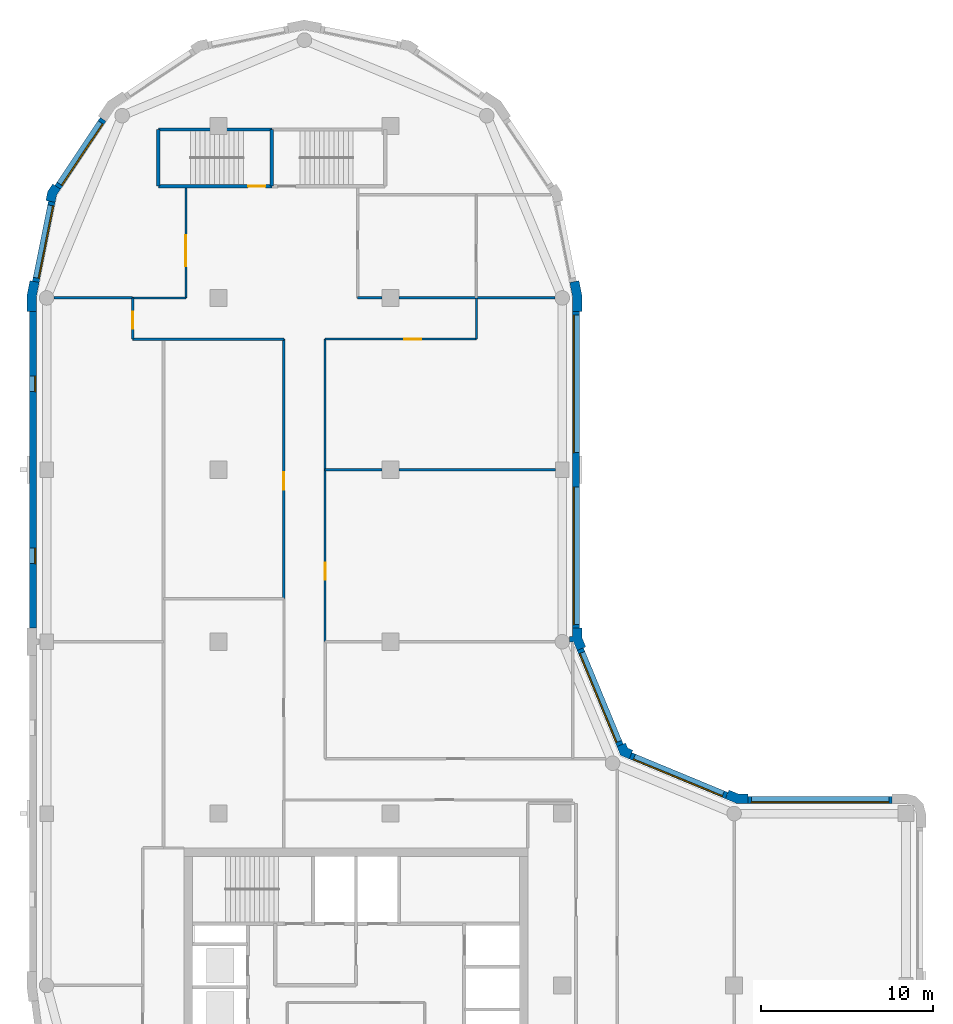
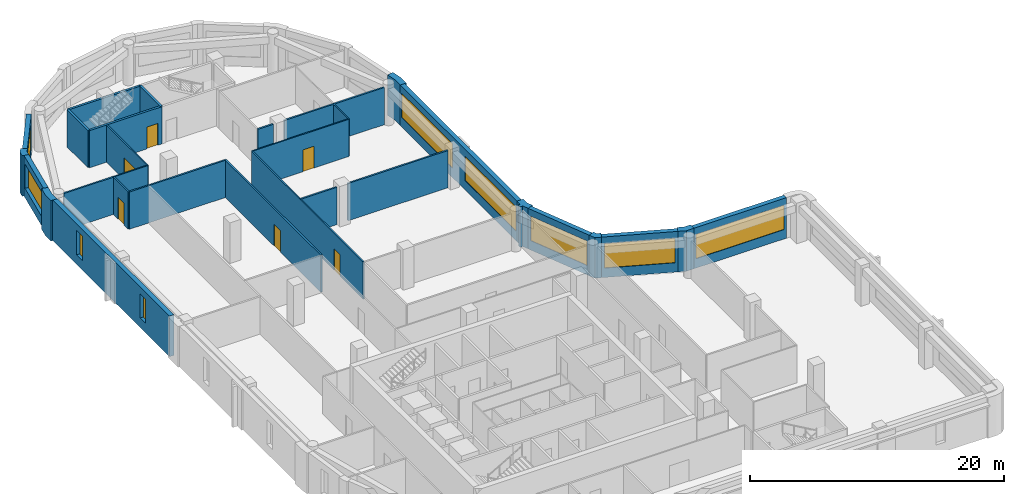
# One storey, part 5 of 9: 30 walls, 9 windows, 6 doors, 15 openings.
"""IFC4 building model written with IfcOpenShell, lengths in metres."""

from ifc_helpers import new_model, si_unit, direction, frame, frame_2d, origin, place, context, subcontext, project, spatial, polyline, rectangle, outline, extrude, material, layer, layer_set, type_object, element, fill, save


model = new_model("IFC4")

# Units and contexts
model_context = context("Model", 3, precision=1e-05, world=origin(), true_north=direction((0.0, 1.0)))
body_context = subcontext(model_context, "Body", "Model", "MODEL_VIEW")
ifc_project = project(units=[si_unit("LENGTHUNIT", "METRE"), si_unit("AREAUNIT", "SQUARE_METRE"), si_unit("VOLUMEUNIT", "CUBIC_METRE"), si_unit("PLANEANGLEUNIT", "RADIAN"), si_unit("MASSUNIT", "GRAM", prefix="KILO")], contexts=[model_context])

# Site, building, storey
site_placement = place(None, origin())
site = spatial("IfcSite", under=ifc_project, at=site_placement, CompositionType="ELEMENT")
building_placement = place(site_placement, origin())
building = spatial("IfcBuilding", under=site, at=building_placement, Name="Qaws Garden Tower", CompositionType="ELEMENT")
storey_placement = place(building_placement, frame((0.0, 0.0, 270.89990234375)))
storey = spatial("IfcBuildingStorey", under=building, at=storey_placement, Name="L65", CompositionType="ELEMENT", Elevation=270.89990234375)

# Wall, opening, window
ifc_material_1 = material(Name="Clay facing brick masonry", Category="masonry")
ifc_layer_1 = layer(ifc_material_1, 0.39990234375)
ifc_layer_set_1 = layer_set([ifc_layer_1], Name="Clay facing brick masonry")
wall_type_1 = type_object("IfcWallType", Name="Brick infill wall 400", PredefinedType="SOLIDWALL", material=ifc_layer_set_1)
wall_1_placement = place(storey_placement, frame((49.199951171875, 30.800048828125, 0.0), z_axis=(0.0, 0.0, 1.0), x_axis=(-1.0, 0.0, 0.0)))
wall_1 = element("IfcWall", 1, at=wall_1_placement, inside=storey, type_object=wall_type_1, Name="E-L65-infill-06", PredefinedType="SOLIDWALL", context=body_context, shape_type="SweptSolid", body=[
    extrude(rectangle(XDim=8.39990234375, YDim=0.39990234375, at=frame_2d((4.199951171875, 0.0))), origin(), (0.0, 0.0, 1.0), 3.900146484375),
])
opening_1_placement = place(wall_1_placement, frame((0.199951171875, 0.0, 0.89990234375)))
opening_1 = element("IfcOpeningElement", 2, at=opening_1_placement, cuts=wall_1, Name="Opening W01", PredefinedType="OPENING", context=body_context, shape_type="SweptSolid", body=[
    extrude(rectangle(XDim=8.0, YDim=2.35009765625, at=frame_2d((4.0, 1.175048828125))), frame((0.0, 0.2099609375, 0.0), z_axis=(0.0, -1.0, 0.0), x_axis=(1.0, 0.0, 0.0)), (0.0, 0.0, 1.0), 0.419921875),
])
ifc_material_2 = material(Name="Aluminium framed window, clear glazing", Category="aluminium")
window_type_1 = type_object("IfcWindowType", Name="Ribbon window 8000 x 2350", PartitioningType="DOUBLE_PANEL_VERTICAL", PredefinedType="WINDOW", material=ifc_material_2)
window_1_placement = place(opening_1_placement, origin())
window_1 = element("IfcWindow", 3, at=window_1_placement, inside=storey, type_object=window_type_1, Name="E-L65-window-06-0", OverallHeight=2.35009765625, OverallWidth=8.0, PartitioningType="SINGLE_PANEL", PredefinedType="WINDOW", context=body_context, shape_type="SweptSolid", body=[
    extrude(rectangle(XDim=8.0, YDim=2.35009765625, at=frame_2d((4.0, 1.175048828125))), frame((0.0, 0.159912109375, 0.0), z_axis=(0.0, -1.0, 0.0), x_axis=(1.0, 0.0, 0.0)), (0.0, 0.0, 1.0), 0.06005859375),
])
fill(opening_1, window_1)

wall_2_placement = place(storey_placement, frame((39.56689453125, 31.04541015625, 0.0), z_axis=(0.0, 0.0, 1.0), x_axis=(-0.923891000409, 0.382655745237, 0.0)))
wall_2 = element("IfcWall", 4, at=wall_2_placement, inside=storey, type_object=wall_type_1, Name="E-L65-infill-07", PredefinedType="SOLIDWALL", context=body_context, shape_type="SweptSolid", body=[
    extrude(rectangle(XDim=6.053466796875, YDim=0.39990234375, at=frame_2d((3.02685546875, 0.0))), origin(), (0.0, 0.0, 1.0), 3.900146484375),
])
opening_2_placement = place(wall_2_placement, frame((0.226806640625, 0.0, 0.89990234375)))
opening_2 = element("IfcOpeningElement", 5, at=opening_2_placement, cuts=wall_2, Name="Opening W04", PredefinedType="OPENING", context=body_context, shape_type="SweptSolid", body=[
    extrude(rectangle(XDim=5.60009765625, YDim=2.35009765625, at=frame_2d((2.800048828125, 1.175048828125))), frame((0.0, 0.2099609375, 0.0), z_axis=(0.0, -1.0, 0.0), x_axis=(1.0, 0.0, 0.0)), (0.0, 0.0, 1.0), 0.419921875),
])
ifc_material_3 = material(Name="Aluminium framed window, clear glazing", Category="aluminium")
window_type_2 = type_object("IfcWindowType", Name="Ribbon window 5600 x 2350", PartitioningType="DOUBLE_PANEL_VERTICAL", PredefinedType="WINDOW", material=ifc_material_3)
window_2_placement = place(opening_2_placement, origin())
window_2 = element("IfcWindow", 6, at=window_2_placement, inside=storey, type_object=window_type_2, Name="E-L65-window-07-0", OverallHeight=2.35009765625, OverallWidth=5.60009765625, PartitioningType="SINGLE_PANEL", PredefinedType="WINDOW", context=body_context, shape_type="SweptSolid", body=[
    extrude(rectangle(XDim=5.60009765625, YDim=2.35009765625, at=frame_2d((2.800048828125, 1.175048828125))), frame((0.0, 0.159912109375, 0.0), z_axis=(0.0, -1.0, 0.0), x_axis=(1.0, 0.0, 0.0)), (0.0, 0.0, 1.0), 0.06005859375),
])
fill(opening_2, window_2)

wall_3_placement = place(storey_placement, frame((33.36181640625, 33.97412109375, 0.0), z_axis=(0.0, 0.0, 1.0), x_axis=(-0.382655745237, 0.923891000409, 0.0)))
wall_3 = element("IfcWall", 7, at=wall_3_placement, inside=storey, type_object=wall_type_1, Name="E-L65-infill-08", PredefinedType="SOLIDWALL", context=body_context, shape_type="SweptSolid", body=[
    extrude(rectangle(XDim=6.053466796875, YDim=0.39990234375, at=frame_2d((3.02685546875, 0.0))), origin(), (0.0, 0.0, 1.0), 3.900146484375),
])
opening_3_placement = place(wall_3_placement, frame((0.226806640625, 0.0, 0.89990234375)))
opening_3 = element("IfcOpeningElement", 8, at=opening_3_placement, cuts=wall_3, Name="Opening W04", PredefinedType="OPENING", context=body_context, shape_type="SweptSolid", body=[
    extrude(rectangle(XDim=5.60009765625, YDim=2.35009765625, at=frame_2d((2.800048828125, 1.175048828125))), frame((0.0, 0.2099609375, 0.0), z_axis=(0.0, -1.0, 0.0), x_axis=(1.0, 0.0, 0.0)), (0.0, 0.0, 1.0), 0.419921875),
])
window_3_placement = place(opening_3_placement, origin())
window_3 = element("IfcWindow", 9, at=window_3_placement, inside=storey, type_object=window_type_2, Name="E-L65-window-08-0", OverallHeight=2.35009765625, OverallWidth=5.60009765625, PartitioningType="SINGLE_PANEL", PredefinedType="WINDOW", context=body_context, shape_type="SweptSolid", body=[
    extrude(rectangle(XDim=5.60009765625, YDim=2.35009765625, at=frame_2d((2.800048828125, 1.175048828125))), frame((0.0, 0.159912109375, 0.0), z_axis=(0.0, -1.0, 0.0), x_axis=(1.0, 0.0, 0.0)), (0.0, 0.0, 1.0), 0.06005859375),
])
fill(opening_3, window_3)

# Wall, openings, windows
wall_4_placement = place(storey_placement, frame((30.800048828125, 40.800048828125, 0.0), z_axis=(0.0, 0.0, 1.0), x_axis=(0.0, 1.0, 0.0)))
wall_4 = element("IfcWall", 10, at=wall_4_placement, inside=storey, type_object=wall_type_1, Name="E-L65-infill-09", PredefinedType="SOLIDWALL", context=body_context, shape_type="SweptSolid", body=[
    extrude(rectangle(XDim=18.39990234375, YDim=0.39990234375, at=frame_2d((9.199951171875, 0.0))), origin(), (0.0, 0.0, 1.0), 3.900146484375),
])
opening_4_placement = place(wall_4_placement, frame((0.199951171875, 0.0, 0.89990234375)))
opening_4 = element("IfcOpeningElement", 11, at=opening_4_placement, cuts=wall_4, Name="Opening W01", PredefinedType="OPENING", context=body_context, shape_type="SweptSolid", body=[
    extrude(rectangle(XDim=8.0, YDim=2.35009765625, at=frame_2d((4.0, 1.175048828125))), frame((0.0, 0.2099609375, 0.0), z_axis=(0.0, -1.0, 0.0), x_axis=(1.0, 0.0, 0.0)), (0.0, 0.0, 1.0), 0.419921875),
])
opening_5_placement = place(wall_4_placement, frame((10.199951171875, 0.0, 0.89990234375)))
opening_5 = element("IfcOpeningElement", 12, at=opening_5_placement, cuts=wall_4, Name="Opening W01", PredefinedType="OPENING", context=body_context, shape_type="SweptSolid", body=[
    extrude(rectangle(XDim=8.0, YDim=2.35009765625, at=frame_2d((4.0, 1.175048828125))), frame((0.0, 0.2099609375, 0.0), z_axis=(0.0, -1.0, 0.0), x_axis=(1.0, 0.0, 0.0)), (0.0, 0.0, 1.0), 0.419921875),
])
window_4_placement = place(opening_4_placement, origin())
window_4 = element("IfcWindow", 13, at=window_4_placement, inside=storey, type_object=window_type_1, Name="E-L65-window-09-0", OverallHeight=2.35009765625, OverallWidth=8.0, PartitioningType="SINGLE_PANEL", PredefinedType="WINDOW", context=body_context, shape_type="SweptSolid", body=[
    extrude(rectangle(XDim=8.0, YDim=2.35009765625, at=frame_2d((4.0, 1.175048828125))), frame((0.0, 0.159912109375, 0.0), z_axis=(0.0, -1.0, 0.0), x_axis=(1.0, 0.0, 0.0)), (0.0, 0.0, 1.0), 0.06005859375),
])
fill(opening_4, window_4)
window_5_placement = place(opening_5_placement, origin())
window_5 = element("IfcWindow", 14, at=window_5_placement, inside=storey, type_object=window_type_1, Name="E-L65-window-10-0", OverallHeight=2.35009765625, OverallWidth=8.0, PartitioningType="SINGLE_PANEL", PredefinedType="WINDOW", context=body_context, shape_type="SweptSolid", body=[
    extrude(rectangle(XDim=8.0, YDim=2.35009765625, at=frame_2d((4.0, 1.175048828125))), frame((0.0, 0.159912109375, 0.0), z_axis=(0.0, -1.0, 0.0), x_axis=(1.0, 0.0, 0.0)), (0.0, 0.0, 1.0), 0.06005859375),
])
fill(opening_5, window_5)

# Wall, opening, window
wall_5_placement = place(storey_placement, frame((3.28369140625, 70.385986328125, 0.0), z_axis=(0.0, 0.0, 1.0), x_axis=(-0.555541552266, -0.831488775454, 0.0)))
wall_5 = element("IfcWall", 15, at=wall_5_placement, inside=storey, type_object=wall_type_1, Name="E-L65-infill-17", PredefinedType="SOLIDWALL", context=body_context, shape_type="SweptSolid", body=[
    extrude(rectangle(XDim=4.752685546875, YDim=0.39990234375, at=frame_2d((2.37646484375, 0.0))), origin(), (0.0, 0.0, 1.0), 3.900146484375),
])
opening_6_placement = place(wall_5_placement, frame((0.226318359375, 0.0, 0.89990234375)))
opening_6 = element("IfcOpeningElement", 16, at=opening_6_placement, cuts=wall_5, Name="Opening W06", PredefinedType="OPENING", context=body_context, shape_type="SweptSolid", body=[
    extrude(rectangle(XDim=4.300048828125, YDim=2.35009765625, at=frame_2d((2.14990234375, 1.175048828125))), frame((0.0, 0.2099609375, 0.0), z_axis=(0.0, -1.0, 0.0), x_axis=(1.0, 0.0, 0.0)), (0.0, 0.0, 1.0), 0.419921875),
])
ifc_material_4 = material(Name="Aluminium framed window, clear glazing", Category="aluminium")
window_type_3 = type_object("IfcWindowType", Name="Ribbon window 4300 x 2350", PartitioningType="DOUBLE_PANEL_VERTICAL", PredefinedType="WINDOW", material=ifc_material_4)
window_6_placement = place(opening_6_placement, origin())
window_6 = element("IfcWindow", 17, at=window_6_placement, inside=storey, type_object=window_type_3, Name="E-L65-window-17-0", OverallHeight=2.35009765625, OverallWidth=4.300048828125, PartitioningType="SINGLE_PANEL", PredefinedType="WINDOW", context=body_context, shape_type="SweptSolid", body=[
    extrude(rectangle(XDim=4.300048828125, YDim=2.35009765625, at=frame_2d((2.14990234375, 1.175048828125))), frame((0.0, 0.159912109375, 0.0), z_axis=(0.0, -1.0, 0.0), x_axis=(1.0, 0.0, 0.0)), (0.0, 0.0, 1.0), 0.06005859375),
])
fill(opening_6, window_6)

wall_6_placement = place(storey_placement, frame((0.298583984375, 65.60205078125, 0.0), z_axis=(0.0, 0.0, 1.0), x_axis=(-0.195098533057, -0.98078364709, 0.0)))
wall_6 = element("IfcWall", 18, at=wall_6_placement, inside=storey, type_object=wall_type_1, Name="E-L65-infill-18", PredefinedType="SOLIDWALL", context=body_context, shape_type="SweptSolid", body=[
    extrude(rectangle(XDim=4.752685546875, YDim=0.39990234375, at=frame_2d((2.37646484375, 0.0))), origin(), (0.0, 0.0, 1.0), 3.900146484375),
])
opening_7_placement = place(wall_6_placement, frame((0.226318359375, 0.0, 0.89990234375)))
opening_7 = element("IfcOpeningElement", 19, at=opening_7_placement, cuts=wall_6, Name="Opening W06", PredefinedType="OPENING", context=body_context, shape_type="SweptSolid", body=[
    extrude(rectangle(XDim=4.300048828125, YDim=2.35009765625, at=frame_2d((2.14990234375, 1.175048828125))), frame((0.0, 0.2099609375, 0.0), z_axis=(0.0, -1.0, 0.0), x_axis=(1.0, 0.0, 0.0)), (0.0, 0.0, 1.0), 0.419921875),
])
window_7_placement = place(opening_7_placement, origin())
window_7 = element("IfcWindow", 20, at=window_7_placement, inside=storey, type_object=window_type_3, Name="E-L65-window-18-0", OverallHeight=2.35009765625, OverallWidth=4.300048828125, PartitioningType="SINGLE_PANEL", PredefinedType="WINDOW", context=body_context, shape_type="SweptSolid", body=[
    extrude(rectangle(XDim=4.300048828125, YDim=2.35009765625, at=frame_2d((2.14990234375, 1.175048828125))), frame((0.0, 0.159912109375, 0.0), z_axis=(0.0, -1.0, 0.0), x_axis=(1.0, 0.0, 0.0)), (0.0, 0.0, 1.0), 0.06005859375),
])
fill(opening_7, window_7)

# Wall, openings, windows
wall_7_placement = place(storey_placement, frame((-0.800048828125, 59.199951171875, 0.0), z_axis=(0.0, 0.0, 1.0), x_axis=(0.0, -1.0, 0.0)))
wall_7 = element("IfcWall", 21, at=wall_7_placement, inside=storey, type_object=wall_type_1, Name="E-L65-infill-19", PredefinedType="SOLIDWALL", context=body_context, shape_type="SweptSolid", body=[
    extrude(rectangle(XDim=18.39990234375, YDim=0.39990234375, at=frame_2d((9.199951171875, 0.0))), origin(), (0.0, 0.0, 1.0), 3.900146484375),
])
opening_8_placement = place(wall_7_placement, frame((3.75, 0.0, 0.89990234375)))
opening_8 = element("IfcOpeningElement", 22, at=opening_8_placement, cuts=wall_7, Name="Opening W09", PredefinedType="OPENING", context=body_context, shape_type="SweptSolid", body=[
    extrude(rectangle(XDim=0.89990234375, YDim=2.35009765625, at=frame_2d((0.449951171875, 1.175048828125))), frame((0.0, 0.2099609375, 0.0), z_axis=(0.0, -1.0, 0.0), x_axis=(1.0, 0.0, 0.0)), (0.0, 0.0, 1.0), 0.419921875),
])
opening_9_placement = place(wall_7_placement, frame((13.75, 0.0, 0.89990234375)))
opening_9 = element("IfcOpeningElement", 23, at=opening_9_placement, cuts=wall_7, Name="Opening W09", PredefinedType="OPENING", context=body_context, shape_type="SweptSolid", body=[
    extrude(rectangle(XDim=0.89990234375, YDim=2.35009765625, at=frame_2d((0.449951171875, 1.175048828125))), frame((0.0, 0.2099609375, 0.0), z_axis=(0.0, -1.0, 0.0), x_axis=(1.0, 0.0, 0.0)), (0.0, 0.0, 1.0), 0.419921875),
])
ifc_material_5 = material(Name="Aluminium framed window, clear glazing", Category="aluminium")
window_type_4 = type_object("IfcWindowType", Name="Slit window 900 x 2350", PartitioningType="SINGLE_PANEL", PredefinedType="WINDOW", material=ifc_material_5)
window_8_placement = place(opening_8_placement, origin())
window_8 = element("IfcWindow", 24, at=window_8_placement, inside=storey, type_object=window_type_4, Name="E-L65-window-19-0", OverallHeight=2.35009765625, OverallWidth=0.89990234375, PartitioningType="SINGLE_PANEL", PredefinedType="WINDOW", context=body_context, shape_type="SweptSolid", body=[
    extrude(rectangle(XDim=0.89990234375, YDim=2.35009765625, at=frame_2d((0.449951171875, 1.175048828125))), frame((0.0, 0.159912109375, 0.0), z_axis=(0.0, -1.0, 0.0), x_axis=(1.0, 0.0, 0.0)), (0.0, 0.0, 1.0), 0.06005859375),
])
fill(opening_8, window_8)
window_9_placement = place(opening_9_placement, origin())
window_9 = element("IfcWindow", 25, at=window_9_placement, inside=storey, type_object=window_type_4, Name="E-L65-window-20-0", OverallHeight=2.35009765625, OverallWidth=0.89990234375, PartitioningType="SINGLE_PANEL", PredefinedType="WINDOW", context=body_context, shape_type="SweptSolid", body=[
    extrude(rectangle(XDim=0.89990234375, YDim=2.35009765625, at=frame_2d((0.449951171875, 1.175048828125))), frame((0.0, 0.159912109375, 0.0), z_axis=(0.0, -1.0, 0.0), x_axis=(1.0, 0.0, 0.0)), (0.0, 0.0, 1.0), 0.06005859375),
])
fill(opening_9, window_9)

# Walls
ifc_material_6 = material(Name="Clay facing brick masonry", Category="masonry")
ifc_layer_2 = layer(ifc_material_6, 0.550048828125)
ifc_layer_set_2 = layer_set([ifc_layer_2], Name="Clay facing brick masonry")
wall_type_2 = type_object("IfcWallType", Name="Brick kink pier 550 x 600", PredefinedType="SOLIDWALL", material=ifc_layer_set_2)
placement = place(storey_placement, origin())
element("IfcWall", 26, at=placement, inside=storey, type_object=wall_type_2, Name="E-L65-pier-18", PredefinedType="SOLIDWALL", context=body_context, shape_type="SweptSolid", body=[
    extrude(outline(polyline([(0.47705078125, 66.545166015625), (0.352294921875, 66.628662109375), (0.05859375, 66.18896484375), (-0.044677734375, 65.67041015625), (0.1025390625, 65.64111328125), (0.494873046875, 65.56298828125), (0.57666015625, 65.974365234375), (0.8095703125, 66.322998046875), (0.47705078125, 66.545166015625)])), origin(), (0.0, 0.0, 1.0), 3.900146484375),
])
ifc_material_7 = material(Name="Clay facing brick masonry", Category="masonry")
ifc_layer_3 = layer(ifc_material_7, 0.550048828125)
ifc_layer_set_3 = layer_set([ifc_layer_3], Name="Clay facing brick masonry")
wall_type_3 = type_object("IfcWallType", Name="Brick pier 550 x 1600", PredefinedType="SOLIDWALL", material=ifc_layer_set_3)
element("IfcWall", 27, at=placement, inside=storey, type_object=wall_type_3, Name="E-L65-pier-07", PredefinedType="SOLIDWALL", context=body_context, shape_type="SweptSolid", body=[
    extrude(outline(polyline([(40.800048828125, 31.0), (40.800048828125, 31.14990234375), (40.228759765625, 31.14990234375), (39.700927734375, 31.36865234375), (39.6435546875, 31.22998046875), (39.490478515625, 30.860595703125), (40.119384765625, 30.60009765625), (40.800048828125, 30.60009765625), (40.800048828125, 31.0)])), origin(), (0.0, 0.0, 1.0), 3.900146484375),
])
element("IfcWall", 28, at=placement, inside=storey, type_object=wall_type_3, Name="E-L65-pier-08", PredefinedType="SOLIDWALL", context=body_context, shape_type="SweptSolid", body=[
    extrude(outline(polyline([(34.05078125, 33.546630859375), (34.108154296875, 33.685302734375), (33.80908203125, 33.80908203125), (33.685302734375, 34.108154296875), (33.546630859375, 34.05078125), (33.177001953125, 33.897705078125), (33.38818359375, 33.38818359375), (33.897705078125, 33.177001953125), (34.05078125, 33.546630859375)])), origin(), (0.0, 0.0, 1.0), 3.900146484375),
])
element("IfcWall", 29, at=placement, inside=storey, type_object=wall_type_3, Name="E-L65-pier-09", PredefinedType="SOLIDWALL", context=body_context, shape_type="SweptSolid", body=[
    extrude(outline(polyline([(30.6201171875, 39.995361328125), (30.6201171875, 40.071044921875), (30.860595703125, 39.490478515625), (31.22998046875, 39.6435546875), (31.36865234375, 39.700927734375), (31.14990234375, 40.228759765625), (31.14990234375, 40.800048828125), (31.0, 40.800048828125), (30.60009765625, 40.800048828125), (30.60009765625, 40.29541015625), (30.425048828125, 40.29541015625), (30.425048828125, 39.995361328125), (30.6201171875, 39.995361328125)])), origin(), (0.0, 0.0, 1.0), 3.900146484375),
])
element("IfcWall", 30, at=placement, inside=storey, type_object=wall_type_3, Name="E-L65-pier-11", PredefinedType="SOLIDWALL", context=body_context, shape_type="SweptSolid", body=[
    extrude(outline(polyline([(31.0, 59.199951171875), (31.14990234375, 59.199951171875), (31.14990234375, 60.11328125), (30.971923828125, 61.009033203125), (30.82470703125, 60.979736328125), (30.432373046875, 60.901611328125), (30.60009765625, 60.05908203125), (30.60009765625, 59.199951171875), (31.0, 59.199951171875)])), origin(), (0.0, 0.0, 1.0), 3.900146484375),
])
element("IfcWall", 31, at=placement, inside=storey, type_object=wall_type_3, Name="E-L65-pier-19", PredefinedType="SOLIDWALL", context=body_context, shape_type="SweptSolid", body=[
    extrude(outline(polyline([(-0.82470703125, 60.979736328125), (-0.971923828125, 61.009033203125), (-1.14990234375, 60.11328125), (-1.14990234375, 59.199951171875), (-1.0, 59.199951171875), (-0.60009765625, 59.199951171875), (-0.60009765625, 60.05908203125), (-0.432373046875, 60.901611328125), (-0.82470703125, 60.979736328125)])), origin(), (0.0, 0.0, 1.0), 3.900146484375),
])

# Wall, opening, door
ifc_material_8 = material(Name="Concrete C60", Category="concrete")
ifc_layer_4 = layer(ifc_material_8, 0.199951171875)
ifc_layer_set_4 = layer_set([ifc_layer_4], Name="Concrete C60")
wall_type_4 = type_object("IfcWallType", Name="Core shaft wall 200 C60", PredefinedType="SHEAR", material=ifc_layer_set_4)
wall_14_placement = place(storey_placement, frame((6.5, 66.5, 0.0), z_axis=(0.0, 0.0, 1.0), x_axis=(1.0, 0.0, 0.0)))
wall_14 = element("IfcWall", 32, at=wall_14_placement, inside=storey, type_object=wall_type_4, Name="Shaft wall", PredefinedType="SHEAR", context=body_context, shape_type="SweptSolid", body=[
    extrude(rectangle(XDim=6.60009765625, YDim=0.199951171875, at=frame_2d((3.300048828125, 0.0))), origin(), (0.0, 0.0, 1.0), 3.580078125),
])
opening_10_placement = place(wall_14_placement, frame((5.22509765625, 0.0, 0.0)))
opening_10 = element("IfcOpeningElement", 33, at=opening_10_placement, cuts=wall_14, Name="Opening SD13", PredefinedType="OPENING", context=body_context, shape_type="SweptSolid", body=[
    extrude(rectangle(XDim=1.0, YDim=2.10009765625, at=frame_2d((0.5, 1.050048828125))), frame((0.0, 0.10986328125, 0.0), z_axis=(0.0, -1.0, 0.0), x_axis=(1.0, 0.0, 0.0)), (0.0, 0.0, 1.0), 0.219970703125),
])
ifc_material_9 = material(Name="Steel S235", Category="steel")
door_type_1 = type_object("IfcDoorType", Name="Stair door 1000x2100", OperationType="SINGLE_SWING_RIGHT", PredefinedType="DOOR", material=ifc_material_9)
door_1_placement = place(opening_10_placement, origin())
door_1 = element("IfcDoor", 34, at=door_1_placement, inside=storey, type_object=door_type_1, Name="Stair 6 door", OperationType="SINGLE_SWING_RIGHT", OverallHeight=2.10009765625, OverallWidth=1.0, PredefinedType="DOOR", context=body_context, shape_type="SweptSolid", body=[
    extrude(rectangle(XDim=1.0, YDim=2.10009765625, at=frame_2d((0.5, 1.050048828125))), frame((0.0, 0.02490234375, 0.0), z_axis=(0.0, -1.0, 0.0), x_axis=(1.0, 0.0, 0.0)), (0.0, 0.0, 1.0), 0.050048828125),
])
fill(opening_10, door_1)

# Walls
wall_15_placement = place(storey_placement, frame((6.5, 69.800048828125, 0.0), z_axis=(0.0, 0.0, 1.0), x_axis=(1.0, 0.0, 0.0)))
element("IfcWall", 35, at=wall_15_placement, inside=storey, type_object=wall_type_4, Name="Shaft wall", PredefinedType="SHEAR", context=body_context, shape_type="SweptSolid", body=[
    extrude(rectangle(XDim=6.60009765625, YDim=0.199951171875, at=frame_2d((3.300048828125, 0.0))), origin(), (0.0, 0.0, 1.0), 3.580078125),
])
for number, where, z_axis, x_axis, name in (
    (36, (6.5, 66.5, 0.0), (0.0, 0.0, 1.0), (0.0, 1.0, 0.0), "Shaft wall"),
    (37, (13.10009765625, 66.5, 0.0), (0.0, 0.0, 1.0), (0.0, 1.0, 0.0), "Shaft wall"),
):
    element("IfcWall", number, at=place(storey_placement, frame(where, z_axis=z_axis, x_axis=x_axis)), inside=storey, type_object=wall_type_4, Name=name, PredefinedType="SHEAR", context=body_context, shape_type="SweptSolid", body=[
        extrude(rectangle(XDim=3.300048828125, YDim=0.199951171875, at=frame_2d((1.64990234375, 0.0))), origin(), (0.0, 0.0, 1.0), 3.580078125),
    ])

# Wall, opening, door
ifc_material_10 = material(Name="Glass and aluminium framing", Category="aluminium")
ifc_layer_5 = layer(ifc_material_10, 0.1201171875)
ifc_layer_set_5 = layer_set([ifc_layer_5], Name="Glass and aluminium framing")
wall_type_5 = type_object("IfcWallType", Name="GLAZED PARTITION 120 EI 30", PredefinedType="PARTITIONING", material=ifc_layer_set_5)
wall_16_placement = place(storey_placement, frame((8.10009765625, 60.0, 0.0), z_axis=(0.0, 0.0, 1.0), x_axis=(0.0, 1.0, 0.0)))
wall_16 = element("IfcWall", 38, at=wall_16_placement, inside=storey, type_object=wall_type_5, Name="O-L65-wall-040", PredefinedType="PARTITIONING", context=body_context, shape_type="SweptSolid", body=[
    extrude(rectangle(XDim=6.39990234375, YDim=0.1201171875, at=frame_2d((3.199951171875, 0.0))), origin(), (0.0, 0.0, 1.0), 3.580078125),
])
opening_11_placement = place(wall_16_placement, frame((1.85009765625, 0.0, 0.0)))
opening_11 = element("IfcOpeningElement", 39, at=opening_11_placement, cuts=wall_16, Name="Opening C208", PredefinedType="OPENING", context=body_context, shape_type="SweptSolid", body=[
    extrude(rectangle(XDim=1.800048828125, YDim=2.10009765625, at=frame_2d((0.89990234375, 1.050048828125))), frame((0.0, 0.070068359375, 0.0), z_axis=(0.0, -1.0, 0.0), x_axis=(1.0, 0.0, 0.0)), (0.0, 0.0, 1.0), 0.14013671875),
])
ifc_material_11 = material(Name="Timber door leaf", Category="wood")
door_type_2 = type_object("IfcDoorType", Name="DOUBLE DOOR 1800 X 2100", OperationType="DOUBLE_DOOR_SINGLE_SWING", PredefinedType="DOOR", material=ifc_material_11)
door_2_placement = place(opening_11_placement, origin())
door_2 = element("IfcDoor", 40, at=door_2_placement, inside=storey, type_object=door_type_2, Name="O-L65-door-008", OperationType="DOUBLE_DOOR_SINGLE_SWING", OverallHeight=2.10009765625, OverallWidth=1.800048828125, PredefinedType="DOOR", context=body_context, shape_type="SweptSolid", body=[
    extrude(rectangle(XDim=1.800048828125, YDim=2.10009765625, at=frame_2d((0.89990234375, 1.050048828125))), frame((0.0, 0.02490234375, 0.0), z_axis=(0.0, -1.0, 0.0), x_axis=(1.0, 0.0, 0.0)), (0.0, 0.0, 1.0), 0.050048828125),
])
fill(opening_11, door_2)

wall_17_placement = place(storey_placement, frame((16.199951171875, 40.0, 0.0), z_axis=(0.0, 0.0, 1.0), x_axis=(0.0, 1.0, 0.0)))
wall_17 = element("IfcWall", 41, at=wall_17_placement, inside=storey, type_object=wall_type_5, Name="O-L65-wall-042", PredefinedType="PARTITIONING", context=body_context, shape_type="SweptSolid", body=[
    extrude(rectangle(XDim=17.60009765625, YDim=0.1201171875, at=frame_2d((8.800048828125, 0.0))), origin(), (0.0, 0.0, 1.0), 3.580078125),
])
opening_12_placement = place(wall_17_placement, frame((3.60009765625, 0.0, 0.0)))
opening_12 = element("IfcOpeningElement", 42, at=opening_12_placement, cuts=wall_17, Name="Opening C206", PredefinedType="OPENING", context=body_context, shape_type="SweptSolid", body=[
    extrude(rectangle(XDim=1.0, YDim=2.10009765625, at=frame_2d((0.5, 1.050048828125))), frame((0.0, 0.070068359375, 0.0), z_axis=(0.0, -1.0, 0.0), x_axis=(1.0, 0.0, 0.0)), (0.0, 0.0, 1.0), 0.14013671875),
])
ifc_material_12 = material(Name="Timber door leaf", Category="wood")
door_type_3 = type_object("IfcDoorType", Name="TENANCY ENTRANCE DOOR 1000 X 2100", OperationType="SINGLE_SWING_LEFT", PredefinedType="DOOR", material=ifc_material_12)
door_3_placement = place(opening_12_placement, frame((1.0, 0.0, 0.0), z_axis=(0.0, 0.0, 1.0), x_axis=(-1.0, 0.0, 0.0)))
door_3 = element("IfcDoor", 43, at=door_3_placement, inside=storey, type_object=door_type_3, Name="O-L65-door-006", OperationType="SINGLE_SWING_RIGHT", OverallHeight=2.10009765625, OverallWidth=1.0, PredefinedType="DOOR", context=body_context, shape_type="SweptSolid", body=[
    extrude(rectangle(XDim=1.0, YDim=2.10009765625, at=frame_2d((0.5, 1.050048828125))), frame((0.0, 0.02490234375, 0.0), z_axis=(0.0, -1.0, 0.0), x_axis=(1.0, 0.0, 0.0)), (0.0, 0.0, 1.0), 0.050048828125),
])
fill(opening_12, door_3)

# Wall
wall_18_placement = place(storey_placement, frame((25.0, 57.60009765625, 0.0), z_axis=(0.0, 0.0, 1.0), x_axis=(0.0, 1.0, 0.0)))
element("IfcWall", 44, at=wall_18_placement, inside=storey, type_object=wall_type_5, Name="O-L65-wall-044", PredefinedType="PARTITIONING", context=body_context, shape_type="SweptSolid", body=[
    extrude(rectangle(XDim=2.39990234375, YDim=0.1201171875, at=frame_2d((1.199951171875, 0.0))), origin(), (0.0, 0.0, 1.0), 3.580078125),
])

# Wall, opening, door
wall_19_placement = place(storey_placement, frame((16.199951171875, 57.60009765625, 0.0), z_axis=(0.0, 0.0, 1.0), x_axis=(1.0, 0.0, 0.0)))
wall_19 = element("IfcWall", 45, at=wall_19_placement, inside=storey, type_object=wall_type_5, Name="O-L65-wall-054", PredefinedType="PARTITIONING", context=body_context, shape_type="SweptSolid", body=[
    extrude(rectangle(XDim=8.800048828125, YDim=0.1201171875, at=frame_2d((4.39990234375, 0.0))), origin(), (0.0, 0.0, 1.0), 3.580078125),
])
opening_13_placement = place(wall_19_placement, frame((4.60009765625, 0.0, 0.0)))
opening_13 = element("IfcOpeningElement", 46, at=opening_13_placement, cuts=wall_19, Name="Opening C207", PredefinedType="OPENING", context=body_context, shape_type="SweptSolid", body=[
    extrude(rectangle(XDim=1.0, YDim=2.10009765625, at=frame_2d((0.5, 1.050048828125))), frame((0.0, 0.070068359375, 0.0), z_axis=(0.0, -1.0, 0.0), x_axis=(1.0, 0.0, 0.0)), (0.0, 0.0, 1.0), 0.14013671875),
])
door_4_placement = place(opening_13_placement, frame((1.0, 0.0, 0.0), z_axis=(0.0, 0.0, 1.0), x_axis=(-1.0, 0.0, 0.0)))
door_4 = element("IfcDoor", 47, at=door_4_placement, inside=storey, type_object=door_type_3, Name="O-L65-door-007", OperationType="SINGLE_SWING_LEFT", OverallHeight=2.10009765625, OverallWidth=1.0, PredefinedType="DOOR", context=body_context, shape_type="SweptSolid", body=[
    extrude(rectangle(XDim=1.0, YDim=2.10009765625, at=frame_2d((0.5, 1.050048828125))), frame((0.0, 0.02490234375, 0.0), z_axis=(0.0, -1.0, 0.0), x_axis=(1.0, 0.0, 0.0)), (0.0, 0.0, 1.0), 0.050048828125),
])
fill(opening_13, door_4)

# Wall
wall_20_placement = place(storey_placement, frame((5.0, 60.0, 0.0), z_axis=(0.0, 0.0, 1.0), x_axis=(1.0, 0.0, 0.0)))
element("IfcWall", 48, at=wall_20_placement, inside=storey, type_object=wall_type_5, Name="O-L65-wall-055", PredefinedType="PARTITIONING", context=body_context, shape_type="SweptSolid", body=[
    extrude(rectangle(XDim=3.10009765625, YDim=0.1201171875, at=frame_2d((1.550048828125, 0.0))), origin(), (0.0, 0.0, 1.0), 3.580078125),
])

# Wall, opening, door
ifc_material_13 = material(Name="Gypsum board partition")
ifc_layer_6 = layer(ifc_material_13, 0.14990234375)
ifc_layer_set_6 = layer_set([ifc_layer_6], Name="Gypsum board partition")
wall_type_6 = type_object("IfcWallType", Name="PARTITION 150 EI 60", PredefinedType="PARTITIONING", material=ifc_layer_set_6)
wall_21_placement = place(storey_placement, frame((5.0, 57.60009765625, 0.0), z_axis=(0.0, 0.0, 1.0), x_axis=(0.0, 1.0, 0.0)))
wall_21 = element("IfcWall", 49, at=wall_21_placement, inside=storey, type_object=wall_type_6, Name="O-L65-wall-002", PredefinedType="PARTITIONING", context=body_context, shape_type="SweptSolid", body=[
    extrude(rectangle(XDim=2.39990234375, YDim=0.14990234375, at=frame_2d((1.199951171875, 0.0))), origin(), (0.0, 0.0, 1.0), 3.580078125),
])
opening_14_placement = place(wall_21_placement, frame((0.60009765625, 0.0, 0.0)))
opening_14 = element("IfcOpeningElement", 50, at=opening_14_placement, cuts=wall_21, Name="Opening C204", PredefinedType="OPENING", context=body_context, shape_type="SweptSolid", body=[
    extrude(rectangle(XDim=1.0, YDim=2.10009765625, at=frame_2d((0.5, 1.050048828125))), frame((0.0, 0.0849609375, 0.0), z_axis=(0.0, -1.0, 0.0), x_axis=(1.0, 0.0, 0.0)), (0.0, 0.0, 1.0), 0.169921875),
])
door_5_placement = place(opening_14_placement, origin())
door_5 = element("IfcDoor", 51, at=door_5_placement, inside=storey, type_object=door_type_3, Name="O-L65-door-004", OperationType="SINGLE_SWING_RIGHT", OverallHeight=2.10009765625, OverallWidth=1.0, PredefinedType="DOOR", context=body_context, shape_type="SweptSolid", body=[
    extrude(rectangle(XDim=1.0, YDim=2.10009765625, at=frame_2d((0.5, 1.050048828125))), frame((0.0, 0.02490234375, 0.0), z_axis=(0.0, -1.0, 0.0), x_axis=(1.0, 0.0, 0.0)), (0.0, 0.0, 1.0), 0.050048828125),
])
fill(opening_14, door_5)

wall_22_placement = place(storey_placement, frame((13.800048828125, 42.5, 0.0), z_axis=(0.0, 0.0, 1.0), x_axis=(0.0, 1.0, 0.0)))
wall_22 = element("IfcWall", 52, at=wall_22_placement, inside=storey, type_object=wall_type_6, Name="O-L65-wall-006", PredefinedType="PARTITIONING", context=body_context, shape_type="SweptSolid", body=[
    extrude(rectangle(XDim=15.10009765625, YDim=0.14990234375, at=frame_2d((7.550048828125, 0.0))), origin(), (0.0, 0.0, 1.0), 3.580078125),
])
opening_15_placement = place(wall_22_placement, frame((6.35009765625, 0.0, 0.0)))
opening_15 = element("IfcOpeningElement", 53, at=opening_15_placement, cuts=wall_22, Name="Opening C218", PredefinedType="OPENING", context=body_context, shape_type="SweptSolid", body=[
    extrude(rectangle(XDim=1.0, YDim=2.10009765625, at=frame_2d((0.5, 1.050048828125))), frame((0.0, 0.0849609375, 0.0), z_axis=(0.0, -1.0, 0.0), x_axis=(1.0, 0.0, 0.0)), (0.0, 0.0, 1.0), 0.169921875),
])
door_6_placement = place(opening_15_placement, origin())
door_6 = element("IfcDoor", 54, at=door_6_placement, inside=storey, type_object=door_type_3, Name="O-L65-door-018", OperationType="SINGLE_SWING_LEFT", OverallHeight=2.10009765625, OverallWidth=1.0, PredefinedType="DOOR", context=body_context, shape_type="SweptSolid", body=[
    extrude(rectangle(XDim=1.0, YDim=2.10009765625, at=frame_2d((0.5, 1.050048828125))), frame((0.0, 0.02490234375, 0.0), z_axis=(0.0, -1.0, 0.0), x_axis=(1.0, 0.0, 0.0)), (0.0, 0.0, 1.0), 0.050048828125),
])
fill(opening_15, door_6)

# Walls
wall_23_placement = place(storey_placement, frame((16.199951171875, 50.0, 0.0), z_axis=(0.0, 0.0, 1.0), x_axis=(1.0, 0.0, 0.0)))
element("IfcWall", 55, at=wall_23_placement, inside=storey, type_object=wall_type_6, Name="O-L65-wall-032", PredefinedType="PARTITIONING", context=body_context, shape_type="SweptSolid", body=[
    extrude(rectangle(XDim=3.300048828125, YDim=0.14990234375, at=frame_2d((1.64990234375, 0.0))), origin(), (0.0, 0.0, 1.0), 3.580078125),
])
wall_24_placement = place(storey_placement, frame((20.5, 50.0, 0.0), z_axis=(0.0, 0.0, 1.0), x_axis=(1.0, 0.0, 0.0)))
element("IfcWall", 56, at=wall_24_placement, inside=storey, type_object=wall_type_6, Name="O-L65-wall-033", PredefinedType="PARTITIONING", context=body_context, shape_type="SweptSolid", body=[
    extrude(rectangle(XDim=9.10009765625, YDim=0.14990234375, at=frame_2d((4.550048828125, 0.0))), origin(), (0.0, 0.0, 1.0), 3.580078125),
])
wall_25_placement = place(storey_placement, frame((5.0, 57.60009765625, 0.0), z_axis=(0.0, 0.0, 1.0), x_axis=(1.0, 0.0, 0.0)))
element("IfcWall", 57, at=wall_25_placement, inside=storey, type_object=wall_type_6, Name="O-L65-wall-034", PredefinedType="PARTITIONING", context=body_context, shape_type="SweptSolid", body=[
    extrude(rectangle(XDim=8.800048828125, YDim=0.14990234375, at=frame_2d((4.39990234375, 0.0))), origin(), (0.0, 0.0, 1.0), 3.580078125),
])
wall_26_placement = place(storey_placement, frame((0.425048828125, 60.0, 0.0), z_axis=(0.0, 0.0, 1.0), x_axis=(1.0, 0.0, 0.0)))
element("IfcWall", 58, at=wall_26_placement, inside=storey, type_object=wall_type_6, Name="O-L65-wall-035", PredefinedType="PARTITIONING", context=body_context, shape_type="SweptSolid", body=[
    extrude(rectangle(XDim=4.574951171875, YDim=0.14990234375, at=frame_2d((2.28759765625, 0.0))), origin(), (0.0, 0.0, 1.0), 3.580078125),
])
wall_27_placement = place(storey_placement, frame((18.10009765625, 60.0, 0.0), z_axis=(0.0, 0.0, 1.0), x_axis=(1.0, 0.0, 0.0)))
element("IfcWall", 59, at=wall_27_placement, inside=storey, type_object=wall_type_6, Name="O-L65-wall-036", PredefinedType="PARTITIONING", context=body_context, shape_type="SweptSolid", body=[
    extrude(rectangle(XDim=1.39990234375, YDim=0.14990234375, at=frame_2d((0.699951171875, 0.0))), origin(), (0.0, 0.0, 1.0), 3.580078125),
])
wall_28_placement = place(storey_placement, frame((20.5, 60.0, 0.0), z_axis=(0.0, 0.0, 1.0), x_axis=(1.0, 0.0, 0.0)))
element("IfcWall", 60, at=wall_28_placement, inside=storey, type_object=wall_type_6, Name="O-L65-wall-037", PredefinedType="PARTITIONING", context=body_context, shape_type="SweptSolid", body=[
    extrude(rectangle(XDim=9.074951171875, YDim=0.14990234375, at=frame_2d((4.53759765625, 0.0))), origin(), (0.0, 0.0, 1.0), 3.580078125),
])

save(model, "model.ifc")
